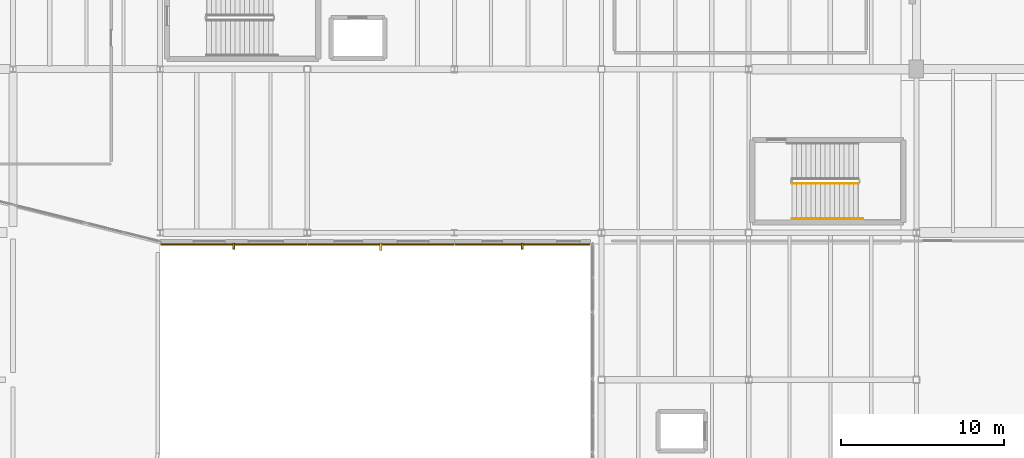
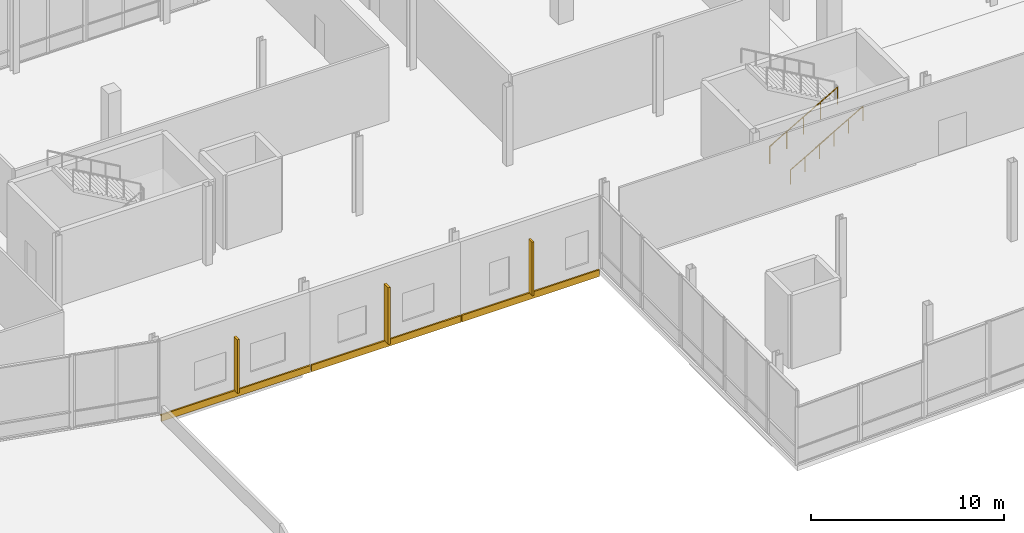
# One storey, part 67 of 81: 3 coverings, 3 shading devices, 2 railings.
"""IFC4 building model written with IfcOpenShell, lengths in metres."""

from ifc_helpers import new_model, si_unit, direction, frame, origin, origin_2d, place, context, subcontext, project, spatial, rectangle, circle, extrude, material, layer, layer_set, type_object, element, save


model = new_model("IFC4")

# Units and contexts
model_context = context("Model", 3, precision=1e-05, world=origin(), true_north=direction((0.0, 1.0)))
body_context = subcontext(model_context, "Body", "Model", "MODEL_VIEW")
ifc_project = project(units=[si_unit("LENGTHUNIT", "METRE"), si_unit("AREAUNIT", "SQUARE_METRE"), si_unit("VOLUMEUNIT", "CUBIC_METRE"), si_unit("PLANEANGLEUNIT", "RADIAN"), si_unit("MASSUNIT", "GRAM", prefix="KILO")], contexts=[model_context])

# Site, building, storey
site_placement = place(None, origin())
site = spatial("IfcSite", under=ifc_project, at=site_placement, CompositionType="ELEMENT")
building_placement = place(site_placement, origin())
building = spatial("IfcBuilding", under=site, at=building_placement, Name="Trimount Lyric Opera House", CompositionType="ELEMENT")
storey_placement = place(building_placement, frame((0.0, 0.0, 5.0)))
storey = spatial("IfcBuildingStorey", under=building, at=storey_placement, Name="L01", CompositionType="ELEMENT", Elevation=5.0)

# Coverings
ifc_material_1 = material(Name="Architectural Precast Concrete Spandrel Band", Category="concrete")
ifc_layer = layer(ifc_material_1, 0.094970703125)
ifc_layer_set = layer_set([ifc_layer], Name="CLD-WING1")
covering_type = type_object("IfcCoveringType", Name="CLD-WING1", PredefinedType="CLADDING", material=ifc_layer_set)
covering_placement = place(storey_placement, frame((40.159912109375, 43.278564453125, -0.369873046875), z_axis=(0.0, 0.0, 1.0), x_axis=(-1.0, 0.0, 0.0)))
element("IfcCovering", 1, at=covering_placement, inside=storey, type_object=covering_type, Name="L01 precast slab-edge spandrel 154", PredefinedType="CLADDING", context=body_context, shape_type="SweptSolid", body=[
    extrude(rectangle(XDim=8.260009765625, YDim=0.094970703125, at=origin_2d()), origin(), (0.0, 0.0, 1.0), 0.419921875),
])
for number, where, z_axis, x_axis, name in (
    (2, (31.5, 43.278564453125, -0.369873046875), (0.0, 0.0, 1.0), (-1.0, 0.0, 0.0), "L01 precast slab-edge spandrel 155"),
    (3, (22.5, 43.278564453125, -0.369873046875), (0.0, 0.0, 1.0), (-1.0, 0.0, 0.0), "L01 precast slab-edge spandrel 156"),
):
    element("IfcCovering", number, at=place(storey_placement, frame(where, z_axis=z_axis, x_axis=x_axis)), inside=storey, type_object=covering_type, Name=name, PredefinedType="CLADDING", context=body_context, shape_type="SweptSolid", body=[
        extrude(rectangle(XDim=8.93994140625, YDim=0.094970703125, at=origin_2d()), origin(), (0.0, 0.0, 1.0), 0.419921875),
    ])

# Railings
ifc_material_2 = material(Name="Brushed Stainless Steel 316", Category="steel")
railing_type_1 = type_object("IfcRailingType", Name="RL-GRD110", PredefinedType="GUARDRAIL", material=ifc_material_2)
railing_1_placement = place(storey_placement, frame((56.64990234375, 47.0, 0.166748046875)))
element("IfcRailing", 4, at=railing_1_placement, inside=storey, type_object=railing_type_1, Name="L01 ST-07 stair guard 1", PredefinedType="GUARDRAIL", context=body_context, shape_type="SweptSolid", body=[
    extrude(circle(Radius=0.02392578125, at=origin_2d()), frame((0.0, 0.0, 1.076171875), z_axis=(0.867024558463, 0.0, 0.498265406207), x_axis=(0.0, 1.0, 0.0)), (0.0, 0.0, 1.0), 4.682861328125),
    extrude(circle(Radius=0.02099609375, at=origin_2d()), origin(), (0.0, 0.0, 1.0), 1.052001953125),
    extrude(circle(Radius=0.02099609375, at=origin_2d()), frame((1.01513671875, 0.0, 0.583251953125)), (0.0, 0.0, 1.0), 1.052001953125),
    extrude(circle(Radius=0.02099609375, at=origin_2d()), frame((2.030029296875, 0.0, 1.16650390625)), (0.0, 0.0, 1.0), 1.052001953125),
    extrude(circle(Radius=0.02099609375, at=origin_2d()), frame((3.044921875, 0.0, 1.75)), (0.0, 0.0, 1.0), 1.052001953125),
    extrude(circle(Radius=0.02099609375, at=origin_2d()), frame((4.06005859375, 0.0, 2.333251953125)), (0.0, 0.0, 1.0), 1.052001953125),
])
ifc_material_3 = material(Name="Brushed Stainless Steel 316", Category="steel")
railing_type_2 = type_object("IfcRailingType", Name="RL-HND092", PredefinedType="HANDRAIL", material=ifc_material_3)
railing_2_placement = place(storey_placement, frame((56.64990234375, 44.85009765625, 0.166748046875)))
element("IfcRailing", 5, at=railing_2_placement, inside=storey, type_object=railing_type_2, Name="L01 ST-07 stair handrail 1", PredefinedType="HANDRAIL", context=body_context, shape_type="SweptSolid", body=[
    extrude(circle(Radius=0.0224609375, at=origin_2d()), frame((0.0, 0.0, 0.8974609375), z_axis=(0.866766478692, 0.0, 0.498714218181), x_axis=(0.0, 1.0, 0.0)), (0.0, 0.0, 1.0), 5.018798828125),
    extrude(circle(Radius=0.02099609375, at=origin_2d()), origin(), (0.0, 0.0, 1.0), 0.875),
    extrude(circle(Radius=0.02099609375, at=origin_2d()), frame((0.8701171875, 0.0, 0.50048828125)), (0.0, 0.0, 1.0), 0.875),
    extrude(circle(Radius=0.02099609375, at=origin_2d()), frame((1.739990234375, 0.0, 1.001220703125)), (0.0, 0.0, 1.0), 0.875),
    extrude(circle(Radius=0.02099609375, at=origin_2d()), frame((2.610107421875, 0.0, 1.501708984375)), (0.0, 0.0, 1.0), 0.875),
    extrude(circle(Radius=0.02099609375, at=origin_2d()), frame((3.47998046875, 0.0, 2.00244140625)), (0.0, 0.0, 1.0), 0.875),
    extrude(circle(Radius=0.02099609375, at=origin_2d()), frame((4.35009765625, 0.0, 2.5029296875)), (0.0, 0.0, 1.0), 0.875),
])

# Shading devices
ifc_material_4 = material(Name="Extruded Bronze Vertical Acoustic Fin")
shading_device_type_1 = type_object("IfcShadingDeviceType", Name="SHD-FIN1", PredefinedType="USERDEFINED", material=ifc_material_4)
shading_device_placement = place(storey_placement, frame((31.5, 43.139892578125, 0.0), z_axis=(0.0, 0.0, 1.0), x_axis=(1.0, 0.0, 0.0)))
element("IfcShadingDevice", 6, at=shading_device_placement, inside=storey, type_object=shading_device_type_1, Name="Vertical architectural facade fin 049", ObjectType="FIN", PredefinedType="USERDEFINED", context=body_context, shape_type="SweptSolid", body=[
    extrude(rectangle(XDim=0.139892578125, YDim=0.449951171875, at=origin_2d()), origin(), (0.0, 0.0, 1.0), 3.60009765625),
])
ifc_material_5 = material(Name="Extruded White Aluminium Sun Fin", Category="aluminium")
shading_device_type_2 = type_object("IfcShadingDeviceType", Name="SHD-FIN2", PredefinedType="USERDEFINED", material=ifc_material_5)
for number, where, z_axis, x_axis, name in (
    (7, (40.159912109375, 43.175048828125, 0.0), (0.0, 0.0, 1.0), (1.0, 0.0, 0.0), "Vertical architectural facade fin 048"),
    (8, (22.5, 43.175048828125, 0.0), (0.0, 0.0, 1.0), (1.0, 0.0, 0.0), "Vertical architectural facade fin 050"),
):
    element("IfcShadingDevice", number, at=place(storey_placement, frame(where, z_axis=z_axis, x_axis=x_axis)), inside=storey, type_object=shading_device_type_2, Name=name, ObjectType="FIN", PredefinedType="USERDEFINED", context=body_context, shape_type="SweptSolid", body=[
        extrude(rectangle(XDim=0.1201171875, YDim=0.3798828125, at=origin_2d()), origin(), (0.0, 0.0, 1.0), 3.39990234375),
    ])

save(model, "model.ifc")
